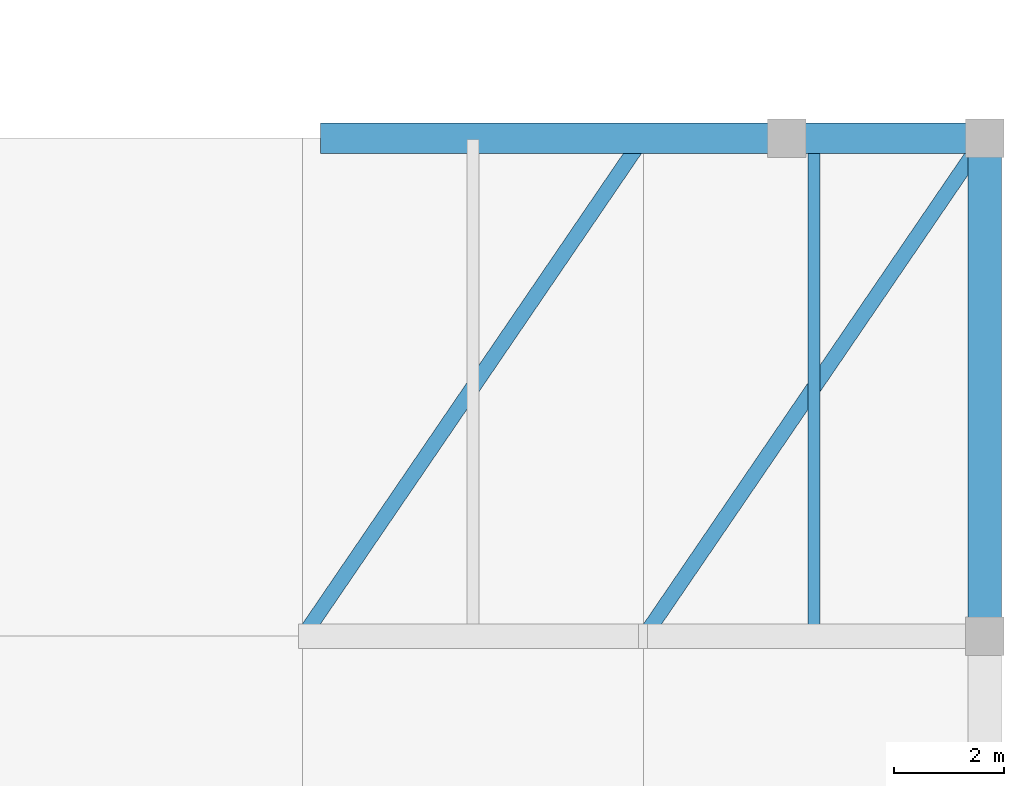
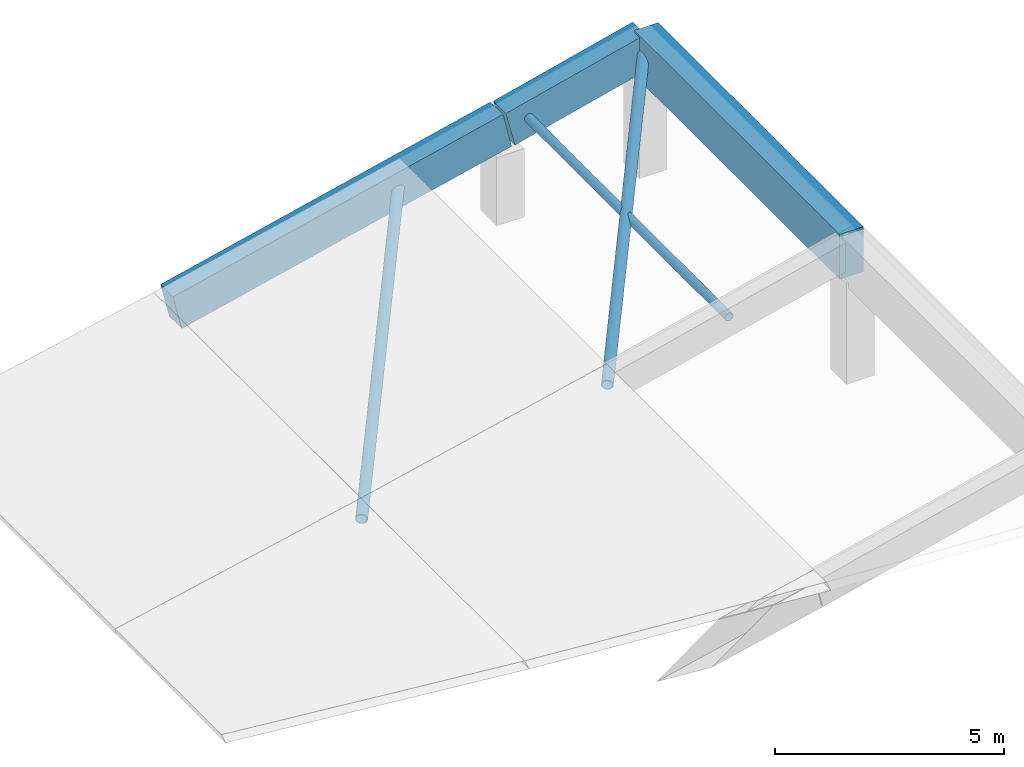
# One storey, part 7 of 28: 3 beams, 3 members.
"""IFC4 building model written with IfcOpenShell, lengths in metres."""

from ifc_helpers import new_model, si_unit, direction, frame, origin, origin_2d, place, context, subcontext, project, spatial, rectangle, hollow_circle, extrude, material, material_profile, profile_set, type_object, element, save


model = new_model("IFC4")

# Units and contexts
model_context = context("Model", 3, precision=1e-05, world=origin(), true_north=direction((0.0, 1.0)))
body_context = subcontext(model_context, "Body", "Model", "MODEL_VIEW")
ifc_project = project(units=[si_unit("LENGTHUNIT", "METRE"), si_unit("AREAUNIT", "SQUARE_METRE"), si_unit("VOLUMEUNIT", "CUBIC_METRE"), si_unit("PLANEANGLEUNIT", "RADIAN"), si_unit("MASSUNIT", "GRAM", prefix="KILO")], contexts=[model_context])

# Site, building, storey
site_placement = place(None, origin())
site = spatial("IfcSite", under=ifc_project, at=site_placement, CompositionType="ELEMENT")
building_placement = place(site_placement, origin())
building = spatial("IfcBuilding", under=site, at=building_placement, Name="Khurvash Pelagic Aquarium", CompositionType="ELEMENT")
storey_placement = place(building_placement, frame((0.0, 0.0, 20.10009765625)))
storey = spatial("IfcBuildingStorey", under=building, at=storey_placement, Name="L04", CompositionType="ELEMENT", Elevation=20.10009765625)

# Member
ifc_material_1 = material(Name="Steel S355J2", Category="steel")
ifc_material_profile_1 = material_profile(ifc_material_1, hollow_circle(Radius=0.109619140625, WallThickness=0.010009765625, at=origin_2d()), Name="CHS219X10")
ifc_profile_set_1 = profile_set([ifc_material_profile_1], Name="Steel S355J2")
member_type_1 = type_object("IfcMemberType", Name="CL-01", PredefinedType="COLLAR", material=ifc_profile_set_1)
member_1_placement = place(storey_placement, frame((160.10009765625, 75.02001953125, 2.544921875), z_axis=(0.0, 1.0, 0.0), x_axis=(-1.0, 0.0, 0.0)))
element("IfcMember", 1, at=member_1_placement, inside=storey, type_object=member_type_1, Name="Wave Shell Collar Tie CL-01 00023", PredefinedType="COLLAR", context=body_context, shape_type="SweptSolid", body=[
    extrude(hollow_circle(Radius=0.109619140625, WallThickness=0.010009765625, at=origin_2d()), origin(), (0.0, 0.0, 1.0), 9.010009765625),
])

# Beams
ifc_material_2 = material(Name="Concrete C40/50", Category="concrete")
ifc_material_profile_2 = material_profile(ifc_material_2, rectangle(XDim=0.60009765625, YDim=1.199951171875, at=origin_2d()), Name="RC600X1200")
ifc_profile_set_2 = profile_set([ifc_material_profile_2], Name="Concrete C40/50")
beam_type_1 = type_object("IfcBeamType", Name="SEB-01", PredefinedType="SPANDREL", material=ifc_profile_set_2)
beam_1_placement = place(storey_placement, frame((163.199951171875, 75.0400390625, 3.14990234375), z_axis=(0.0, 1.0, 0.0), x_axis=(-1.0, 0.0, 0.0)))
element("IfcBeam", 2, at=beam_1_placement, inside=storey, type_object=beam_type_1, Name="Wave Shell East Crest Spandrel Edge Beam SEB-01 7", PredefinedType="SPANDREL", context=body_context, shape_type="SweptSolid", body=[
    extrude(rectangle(XDim=0.60009765625, YDim=1.199951171875, at=origin_2d()), origin(), (0.0, 0.0, 1.0), 8.969970703125),
])
ifc_material_profile_3 = material_profile(ifc_material_2, rectangle(XDim=0.550048828125, YDim=0.949951171875, at=origin_2d()), Name="RC550X950")
ifc_profile_set_3 = profile_set([ifc_material_profile_3], Name="Concrete C40/50")
beam_type_2 = type_object("IfcBeamType", Name="SEB-02", PredefinedType="SPANDREL", material=ifc_profile_set_3)
beam_2_placement = place(storey_placement, frame((151.239990234375, 84.050048828125, 0.44580078125), z_axis=(0.973560845432, 0.0, 0.228427844716), x_axis=(0.0, 1.0, 0.0)))
element("IfcBeam", 3, at=beam_2_placement, inside=storey, type_object=beam_type_2, Name="Wave Shell North Raking Spandrel Edge Beam SEB-02", PredefinedType="SPANDREL", context=body_context, shape_type="SweptSolid", body=[
    extrude(rectangle(XDim=0.550048828125, YDim=0.949951171875, at=origin_2d()), origin(), (0.0, 0.0, 1.0), 8.5458984375),
])
beam_3_placement = place(storey_placement, frame((159.639892578125, 84.050048828125, 2.39794921875), z_axis=(0.970340120002, 0.0, 0.241743772441), x_axis=(0.0, 1.0, 0.0)))
element("IfcBeam", 4, at=beam_3_placement, inside=storey, type_object=beam_type_2, Name="Wave Shell North Raking Spandrel Edge Beam SEB-02", PredefinedType="SPANDREL", context=body_context, shape_type="SweptSolid", body=[
    extrude(rectangle(XDim=0.550048828125, YDim=0.949951171875, at=origin_2d()), origin(), (0.0, 0.0, 1.0), 3.627685546875),
])

# Members
ifc_material_profile_4 = material_profile(ifc_material_1, hollow_circle(Radius=0.136474609375, WallThickness=0.012451171875, at=origin_2d()), Name="CHS273X12")
ifc_profile_set_4 = profile_set([ifc_material_profile_4], Name="Steel S355J2")
member_type_2 = type_object("IfcMemberType", Name="SR-01", PredefinedType="STRUT", material=ifc_profile_set_4)
member_2_placement = place(storey_placement, frame((150.840087890625, 75.0400390625, 0.3798828125), z_axis=(0.558895842254, 0.819180282453, 0.128759863127), x_axis=(-0.826056540079, 0.563587253753, 0.0)))
element("IfcMember", 5, at=member_2_placement, inside=storey, type_object=member_type_2, Name="Wave Shell Compression Strut SR-01 00022", PredefinedType="STRUT", context=body_context, shape_type="SweptSolid", body=[
    extrude(hollow_circle(Radius=0.136474609375, WallThickness=0.012451171875, at=origin_2d()), origin(), (0.0, 0.0, 1.0), 10.949951171875),
])
member_3_placement = place(storey_placement, frame((157.0400390625, 75.0400390625, 1.789794921875), z_axis=(0.558215887763, 0.81818366507, 0.137733484893), x_axis=(-0.826056540079, 0.563587253753, 0.0)))
element("IfcMember", 6, at=member_3_placement, inside=storey, type_object=member_type_2, Name="Wave Shell Compression Strut SR-01 00024", PredefinedType="STRUT", context=body_context, shape_type="SweptSolid", body=[
    extrude(hollow_circle(Radius=0.136474609375, WallThickness=0.012451171875, at=origin_2d()), origin(), (0.0, 0.0, 1.0), 10.96337890625),
])

save(model, "model.ifc")
